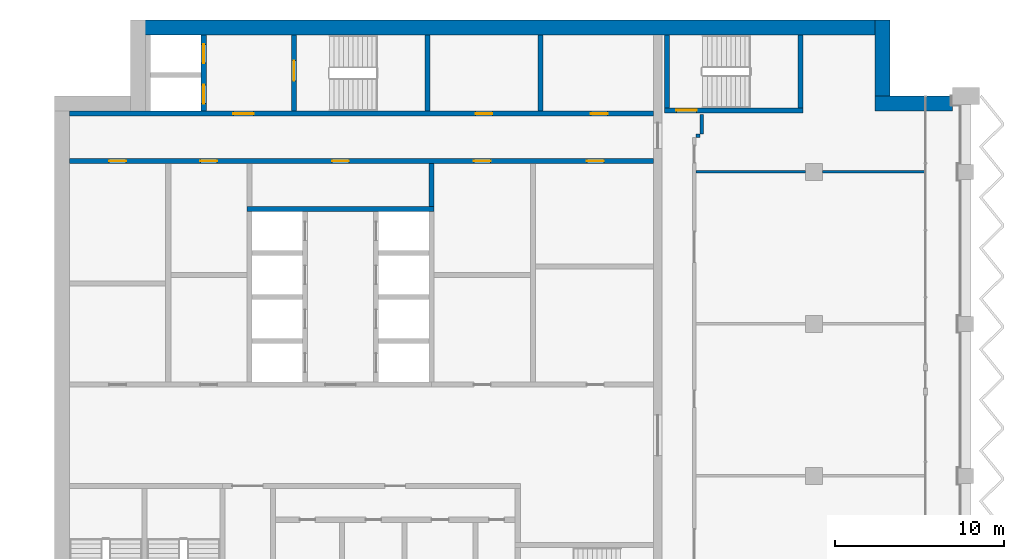
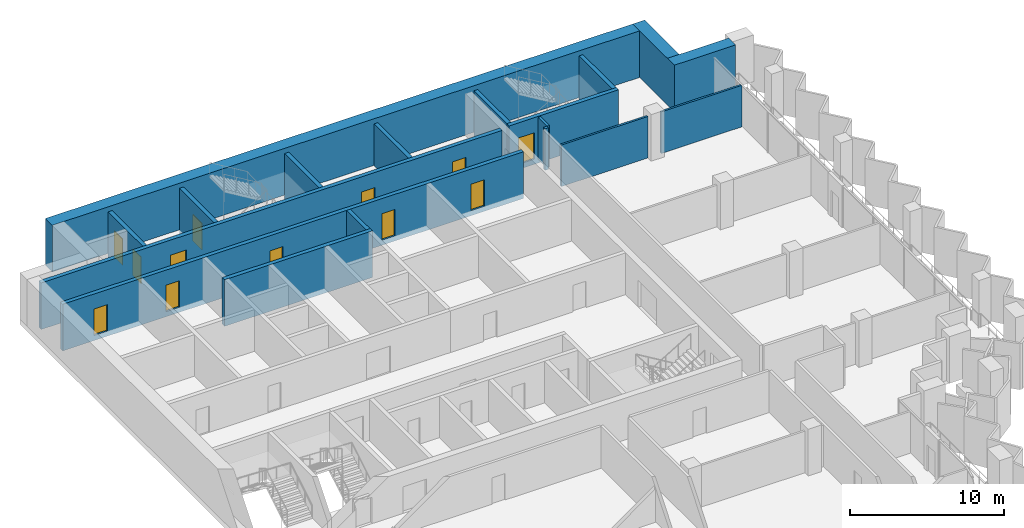
# One storey, part 10 of 16: 18 walls, 12 doors, 12 openings.
"""IFC4 building model written with IfcOpenShell, lengths in metres."""

from ifc_helpers import new_model, si_unit, direction, frame, frame_2d, origin, place, context, subcontext, project, spatial, rectangle, extrude, material, layer, layer_set, type_object, element, fill, save


model = new_model("IFC4")

# Units and contexts
model_context = context("Model", 3, precision=1e-05, world=origin(), true_north=direction((0.0, 1.0)))
body_context = subcontext(model_context, "Body", "Model", "MODEL_VIEW")
ifc_project = project(units=[si_unit("LENGTHUNIT", "METRE"), si_unit("AREAUNIT", "SQUARE_METRE"), si_unit("VOLUMEUNIT", "CUBIC_METRE"), si_unit("PLANEANGLEUNIT", "RADIAN"), si_unit("MASSUNIT", "GRAM", prefix="KILO")], contexts=[model_context])

# Site, building, storey
site_placement = place(None, origin())
site = spatial("IfcSite", under=ifc_project, at=site_placement, CompositionType="ELEMENT")
building_placement = place(site_placement, origin())
building = spatial("IfcBuilding", under=site, at=building_placement, Name="Hunhe Ridgeline Campus", CompositionType="ELEMENT")
storey_placement = place(building_placement, frame((0.0, 0.0, 235.5)))
storey = spatial("IfcBuildingStorey", under=building, at=storey_placement, Name="L60", CompositionType="ELEMENT", Elevation=235.5)

# Walls
ifc_material_1 = material(Name="Masonry concrete blockwork", Category="masonry")
ifc_layer_1 = layer(ifc_material_1, 0.300048828125)
ifc_layer_set_1 = layer_set([ifc_layer_1], Name="Core room partition 300 concrete block")
wall_type_1 = type_object("IfcWallType", Name="Core room partition 300 concrete block", PredefinedType="PARTITIONING", material=ifc_layer_set_1)
wall_1_placement = place(storey_placement, frame((22.35009765625, 87.949951171875, 0.0), z_axis=(0.0, 0.0, 1.0), x_axis=(0.0, 1.0, 0.0)))
element("IfcWall", 1, at=wall_1_placement, inside=storey, type_object=wall_type_1, Name="L60 core partition 44", PredefinedType="PARTITIONING", context=body_context, shape_type="SweptSolid", body=[
    extrude(rectangle(XDim=2.550048828125, YDim=0.300048828125, at=frame_2d((1.27490234375, 0.0))), origin(), (0.0, 0.0, 1.0), 3.300048828125),
])
wall_2_placement = place(storey_placement, frame((28.800048828125, 93.60009765625, 0.0), z_axis=(0.0, 0.0, 1.0), x_axis=(0.0, 1.0, 0.0)))
element("IfcWall", 2, at=wall_2_placement, inside=storey, type_object=wall_type_1, Name="L60 core partition 50", PredefinedType="PARTITIONING", context=body_context, shape_type="SweptSolid", body=[
    extrude(rectangle(XDim=4.5, YDim=0.300048828125, at=frame_2d((2.25, 0.0))), origin(), (0.0, 0.0, 1.0), 3.300048828125),
])
ifc_material_2 = material(Name="Gypsum board partition")
ifc_layer_2 = layer(ifc_material_2, 0.199951171875)
ifc_layer_set_2 = layer_set([ifc_layer_2], Name="Corridor partition 200 gypsum board on steel studs")
wall_type_2 = type_object("IfcWallType", Name="Corridor partition 200 gypsum board on steel studs", PredefinedType="PARTITIONING", material=ifc_layer_set_2)
wall_3_placement = place(storey_placement, frame((38.25, 92.14990234375, 0.0), z_axis=(0.0, 0.0, 1.0), x_axis=(-1.0, 0.0, 0.0)))
element("IfcWall", 3, at=wall_3_placement, inside=storey, type_object=wall_type_2, Name="F-L60-wall-031", PredefinedType="PARTITIONING", context=body_context, shape_type="SweptSolid", body=[
    extrude(rectangle(XDim=0.25, YDim=0.199951171875, at=frame_2d((0.125, 0.0))), origin(), (0.0, 0.0, 1.0), 3.300048828125),
])
wall_4_placement = place(storey_placement, frame((38.35009765625, 93.39599609375, 0.0), z_axis=(0.0, 0.0, 1.0), x_axis=(0.0, -1.0, 0.0)))
element("IfcWall", 4, at=wall_4_placement, inside=storey, type_object=wall_type_2, Name="F-L60-wall-039", PredefinedType="PARTITIONING", context=body_context, shape_type="SweptSolid", body=[
    extrude(rectangle(XDim=1.14599609375, YDim=0.199951171875, at=frame_2d((0.572998046875, 0.0))), origin(), (0.0, 0.0, 1.0), 3.300048828125),
])

# Wall, openings, doors
ifc_material_3 = material(Name="Concrete C50", Category="concrete")
ifc_layer_3 = layer(ifc_material_3, 0.300048828125)
ifc_layer_set_3 = layer_set([ifc_layer_3], Name="Lobby wall 300 reinforced concrete C50")
wall_type_3 = type_object("IfcWallType", Name="Lobby wall 300 reinforced concrete C50", PredefinedType="SOLIDWALL", material=ifc_layer_set_3)
wall_5_placement = place(storey_placement, frame((0.89990234375, 90.64990234375, -0.39990234375), z_axis=(0.0, 0.0, 1.0), x_axis=(1.0, 0.0, 0.0)))
wall_5 = element("IfcWall", 5, at=wall_5_placement, inside=storey, type_object=wall_type_3, Name="L60 core wall 23", PredefinedType="SOLIDWALL", context=body_context, shape_type="SweptSolid", body=[
    extrude(rectangle(XDim=34.60009765625, YDim=0.300048828125, at=frame_2d((17.300048828125, 0.0))), origin(), (0.0, 0.0, 1.0), 3.699951171875),
])
opening_1_placement = place(wall_5_placement, frame((15.550048828125, 0.0, 0.39990234375)))
opening_1 = element("IfcOpeningElement", 6, at=opening_1_placement, cuts=wall_5, Name="Opening CD26", PredefinedType="OPENING", context=body_context, shape_type="SweptSolid", body=[
    extrude(rectangle(XDim=1.0, YDim=2.10009765625, at=frame_2d((0.5, 1.050048828125))), frame((0.0, 0.14990234375, 0.0), z_axis=(0.0, -1.0, 0.0), x_axis=(1.0, 0.0, 0.0)), (0.0, 0.0, 1.0), 0.300048828125),
])
opening_2_placement = place(wall_5_placement, frame((2.35009765625, 0.0, 0.39990234375)))
opening_2 = element("IfcOpeningElement", 7, at=opening_2_placement, cuts=wall_5, Name="Opening CD40", PredefinedType="OPENING", context=body_context, shape_type="SweptSolid", body=[
    extrude(rectangle(XDim=1.0, YDim=2.10009765625, at=frame_2d((0.5, 1.050048828125))), frame((0.0, 0.14990234375, 0.0), z_axis=(0.0, -1.0, 0.0), x_axis=(1.0, 0.0, 0.0)), (0.0, 0.0, 1.0), 0.300048828125),
])
opening_3_placement = place(wall_5_placement, frame((7.75, 0.0, 0.39990234375)))
opening_3 = element("IfcOpeningElement", 8, at=opening_3_placement, cuts=wall_5, Name="Opening CD43", PredefinedType="OPENING", context=body_context, shape_type="SweptSolid", body=[
    extrude(rectangle(XDim=1.0, YDim=2.10009765625, at=frame_2d((0.5, 1.050048828125))), frame((0.0, 0.14990234375, 0.0), z_axis=(0.0, -1.0, 0.0), x_axis=(1.0, 0.0, 0.0)), (0.0, 0.0, 1.0), 0.300048828125),
])
opening_4_placement = place(wall_5_placement, frame((23.949951171875, 0.0, 0.39990234375)))
opening_4 = element("IfcOpeningElement", 9, at=opening_4_placement, cuts=wall_5, Name="Opening CD33", PredefinedType="OPENING", context=body_context, shape_type="SweptSolid", body=[
    extrude(rectangle(XDim=1.0, YDim=2.10009765625, at=frame_2d((0.5, 1.050048828125))), frame((0.0, 0.14990234375, 0.0), z_axis=(0.0, -1.0, 0.0), x_axis=(1.0, 0.0, 0.0)), (0.0, 0.0, 1.0), 0.300048828125),
])
opening_5_placement = place(wall_5_placement, frame((30.64990234375, 0.0, 0.39990234375)))
opening_5 = element("IfcOpeningElement", 10, at=opening_5_placement, cuts=wall_5, Name="Opening CD44", PredefinedType="OPENING", context=body_context, shape_type="SweptSolid", body=[
    extrude(rectangle(XDim=1.0, YDim=2.10009765625, at=frame_2d((0.5, 1.050048828125))), frame((0.0, 0.14990234375, 0.0), z_axis=(0.0, -1.0, 0.0), x_axis=(1.0, 0.0, 0.0)), (0.0, 0.0, 1.0), 0.300048828125),
])
ifc_material_4 = material(Name="Solid core timber door leaf", Category="wood")
door_type_1 = type_object("IfcDoorType", Name="Timber door 1000x2100", OperationType="SINGLE_SWING_LEFT", PredefinedType="DOOR", material=ifc_material_4)
door_1_placement = place(opening_1_placement, frame((1.0, 0.0, 0.0), z_axis=(0.0, 0.0, 1.0), x_axis=(-1.0, 0.0, 0.0)))
door_1 = element("IfcDoor", 11, at=door_1_placement, inside=storey, type_object=door_type_1, Name="L60 door NR-0", OperationType="SINGLE_SWING_RIGHT", OverallHeight=2.10009765625, OverallWidth=1.0, PredefinedType="DOOR", context=body_context, shape_type="SweptSolid", body=[
    extrude(rectangle(XDim=1.0, YDim=2.10009765625, at=frame_2d((0.5, 1.050048828125))), frame((0.0, 0.02490234375, 0.0), z_axis=(0.0, -1.0, 0.0), x_axis=(1.0, 0.0, 0.0)), (0.0, 0.0, 1.0), 0.050048828125),
])
fill(opening_1, door_1)
door_2_placement = place(opening_2_placement, frame((1.0, 0.0, 0.0), z_axis=(0.0, 0.0, 1.0), x_axis=(-1.0, 0.0, 0.0)))
door_2 = element("IfcDoor", 12, at=door_2_placement, inside=storey, type_object=door_type_1, Name="L60 door VD-LR1", OperationType="SINGLE_SWING_RIGHT", OverallHeight=2.10009765625, OverallWidth=1.0, PredefinedType="DOOR", context=body_context, shape_type="SweptSolid", body=[
    extrude(rectangle(XDim=1.0, YDim=2.10009765625, at=frame_2d((0.5, 1.050048828125))), frame((0.0, 0.02490234375, 0.0), z_axis=(0.0, -1.0, 0.0), x_axis=(1.0, 0.0, 0.0)), (0.0, 0.0, 1.0), 0.050048828125),
])
fill(opening_2, door_2)
door_3_placement = place(opening_3_placement, frame((1.0, 0.0, 0.0), z_axis=(0.0, 0.0, 1.0), x_axis=(-1.0, 0.0, 0.0)))
door_3 = element("IfcDoor", 13, at=door_3_placement, inside=storey, type_object=door_type_1, Name="L60 door VD-LR3", OperationType="SINGLE_SWING_RIGHT", OverallHeight=2.10009765625, OverallWidth=1.0, PredefinedType="DOOR", context=body_context, shape_type="SweptSolid", body=[
    extrude(rectangle(XDim=1.0, YDim=2.10009765625, at=frame_2d((0.5, 1.050048828125))), frame((0.0, 0.02490234375, 0.0), z_axis=(0.0, -1.0, 0.0), x_axis=(1.0, 0.0, 0.0)), (0.0, 0.0, 1.0), 0.050048828125),
])
fill(opening_3, door_3)
door_4_placement = place(opening_4_placement, frame((1.0, 0.0, 0.0), z_axis=(0.0, 0.0, 1.0), x_axis=(-1.0, 0.0, 0.0)))
door_4 = element("IfcDoor", 14, at=door_4_placement, inside=storey, type_object=door_type_1, Name="L60 door ES1", OperationType="SINGLE_SWING_LEFT", OverallHeight=2.10009765625, OverallWidth=1.0, PredefinedType="DOOR", context=body_context, shape_type="SweptSolid", body=[
    extrude(rectangle(XDim=1.0, YDim=2.10009765625, at=frame_2d((0.5, 1.050048828125))), frame((0.0, 0.02490234375, 0.0), z_axis=(0.0, -1.0, 0.0), x_axis=(1.0, 0.0, 0.0)), (0.0, 0.0, 1.0), 0.050048828125),
])
fill(opening_4, door_4)
door_5_placement = place(opening_5_placement, frame((1.0, 0.0, 0.0), z_axis=(0.0, 0.0, 1.0), x_axis=(-1.0, 0.0, 0.0)))
door_5 = element("IfcDoor", 15, at=door_5_placement, inside=storey, type_object=door_type_1, Name="L60 door ES3", OperationType="SINGLE_SWING_LEFT", OverallHeight=2.10009765625, OverallWidth=1.0, PredefinedType="DOOR", context=body_context, shape_type="SweptSolid", body=[
    extrude(rectangle(XDim=1.0, YDim=2.10009765625, at=frame_2d((0.5, 1.050048828125))), frame((0.0, 0.02490234375, 0.0), z_axis=(0.0, -1.0, 0.0), x_axis=(1.0, 0.0, 0.0)), (0.0, 0.0, 1.0), 0.050048828125),
])
fill(opening_5, door_5)

# Walls
ifc_layer_4 = layer(ifc_material_2, 0.14990234375)
ifc_layer_set_4 = layer_set([ifc_layer_4], Name="Room partition 150 gypsum board on steel studs")
wall_type_4 = type_object("IfcWallType", Name="Room partition 150 gypsum board on steel studs", PredefinedType="PARTITIONING", material=ifc_layer_set_4)
wall_6_placement = place(storey_placement, frame((38.0, 90.0, 0.0), z_axis=(0.0, 0.0, 1.0), x_axis=(1.0, 0.0, 0.0)))
element("IfcWall", 16, at=wall_6_placement, inside=storey, type_object=wall_type_4, Name="F-L60-wall-029", PredefinedType="PARTITIONING", context=body_context, shape_type="SweptSolid", body=[
    extrude(rectangle(XDim=6.5, YDim=0.14990234375, at=frame_2d((3.25, 0.0))), origin(), (0.0, 0.0, 1.0), 3.300048828125),
])
wall_7_placement = place(storey_placement, frame((45.5, 90.0, 0.0), z_axis=(0.0, 0.0, 1.0), x_axis=(1.0, 0.0, 0.0)))
element("IfcWall", 17, at=wall_7_placement, inside=storey, type_object=wall_type_4, Name="F-L60-wall-030", PredefinedType="PARTITIONING", context=body_context, shape_type="SweptSolid", body=[
    extrude(rectangle(XDim=6.044921875, YDim=0.14990234375, at=frame_2d((3.0224609375, 0.0))), origin(), (0.0, 0.0, 1.0), 3.300048828125),
])
ifc_layer_5 = layer(ifc_material_3, 0.300048828125)
ifc_layer_set_5 = layer_set([ifc_layer_5], Name="Shaft wall 300 reinforced concrete C50")
wall_type_5 = type_object("IfcWallType", Name="Shaft wall 300 reinforced concrete C50", PredefinedType="SOLIDWALL", material=ifc_layer_set_5)
wall_8_placement = place(storey_placement, frame((11.39990234375, 87.800048828125, -0.39990234375), z_axis=(0.0, 0.0, 1.0), x_axis=(1.0, 0.0, 0.0)))
element("IfcWall", 18, at=wall_8_placement, inside=storey, type_object=wall_type_5, Name="L60 core wall 22", PredefinedType="SOLIDWALL", context=body_context, shape_type="SweptSolid", body=[
    extrude(rectangle(XDim=11.10009765625, YDim=0.300048828125, at=frame_2d((5.550048828125, 0.0))), origin(), (0.0, 0.0, 1.0), 3.699951171875),
])

# Wall, openings, doors
wall_9_placement = place(storey_placement, frame((0.89990234375, 93.449951171875, -0.39990234375), z_axis=(0.0, 0.0, 1.0), x_axis=(1.0, 0.0, 0.0)))
wall_9 = element("IfcWall", 19, at=wall_9_placement, inside=storey, type_object=wall_type_5, Name="L60 core wall 24", PredefinedType="SOLIDWALL", context=body_context, shape_type="SweptSolid", body=[
    extrude(rectangle(XDim=34.60009765625, YDim=0.300048828125, at=frame_2d((17.300048828125, 0.0))), origin(), (0.0, 0.0, 1.0), 3.699951171875),
])
opening_6_placement = place(wall_9_placement, frame((9.699951171875, 0.0, 0.39990234375)))
opening_6 = element("IfcOpeningElement", 20, at=opening_6_placement, cuts=wall_9, Name="Opening CD3", PredefinedType="OPENING", context=body_context, shape_type="SweptSolid", body=[
    extrude(rectangle(XDim=1.199951171875, YDim=2.10009765625, at=frame_2d((0.60009765625, 1.050048828125))), frame((0.0, 0.14990234375, 0.0), z_axis=(0.0, -1.0, 0.0), x_axis=(1.0, 0.0, 0.0)), (0.0, 0.0, 1.0), 0.300048828125),
])
opening_7_placement = place(wall_9_placement, frame((24.050048828125, 0.0, 0.39990234375)))
opening_7 = element("IfcOpeningElement", 21, at=opening_7_placement, cuts=wall_9, Name="Opening CD34", PredefinedType="OPENING", context=body_context, shape_type="SweptSolid", body=[
    extrude(rectangle(XDim=1.0, YDim=2.10009765625, at=frame_2d((0.5, 1.050048828125))), frame((0.0, 0.14990234375, 0.0), z_axis=(0.0, -1.0, 0.0), x_axis=(1.0, 0.0, 0.0)), (0.0, 0.0, 1.0), 0.300048828125),
])
opening_8_placement = place(wall_9_placement, frame((30.875, 0.0, 0.39990234375)))
opening_8 = element("IfcOpeningElement", 22, at=opening_8_placement, cuts=wall_9, Name="Opening CD35", PredefinedType="OPENING", context=body_context, shape_type="SweptSolid", body=[
    extrude(rectangle(XDim=1.0, YDim=2.10009765625, at=frame_2d((0.5, 1.050048828125))), frame((0.0, 0.14990234375, 0.0), z_axis=(0.0, -1.0, 0.0), x_axis=(1.0, 0.0, 0.0)), (0.0, 0.0, 1.0), 0.300048828125),
])
ifc_material_5 = material(Name="Hollow metal fire door leaf")
door_type_2 = type_object("IfcDoorType", Name="Lobby door 1200x2100 FD60", OperationType="SINGLE_SWING_LEFT", PredefinedType="DOOR", material=ifc_material_5)
door_6_placement = place(opening_6_placement, frame((1.199951171875, 0.0, 0.0), z_axis=(0.0, 0.0, 1.0), x_axis=(-1.0, 0.0, 0.0)))
door_6 = element("IfcDoor", 23, at=door_6_placement, inside=storey, type_object=door_type_2, Name="L60 door FF-C1", OperationType="SINGLE_SWING_RIGHT", OverallHeight=2.10009765625, OverallWidth=1.199951171875, PredefinedType="DOOR", context=body_context, shape_type="SweptSolid", body=[
    extrude(rectangle(XDim=1.199951171875, YDim=2.10009765625, at=frame_2d((0.60009765625, 1.050048828125))), frame((0.0, 0.02490234375, 0.0), z_axis=(0.0, -1.0, 0.0), x_axis=(1.0, 0.0, 0.0)), (0.0, 0.0, 1.0), 0.050048828125),
])
fill(opening_6, door_6)
door_7_placement = place(opening_7_placement, origin())
door_7 = element("IfcDoor", 24, at=door_7_placement, inside=storey, type_object=door_type_1, Name="L60 door NB0", OperationType="SINGLE_SWING_LEFT", OverallHeight=2.10009765625, OverallWidth=1.0, PredefinedType="DOOR", context=body_context, shape_type="SweptSolid", body=[
    extrude(rectangle(XDim=1.0, YDim=2.10009765625, at=frame_2d((0.5, 1.050048828125))), frame((0.0, 0.02490234375, 0.0), z_axis=(0.0, -1.0, 0.0), x_axis=(1.0, 0.0, 0.0)), (0.0, 0.0, 1.0), 0.050048828125),
])
fill(opening_7, door_7)
door_8_placement = place(opening_8_placement, origin())
door_8 = element("IfcDoor", 25, at=door_8_placement, inside=storey, type_object=door_type_1, Name="L60 door NB1", OperationType="SINGLE_SWING_RIGHT", OverallHeight=2.10009765625, OverallWidth=1.0, PredefinedType="DOOR", context=body_context, shape_type="SweptSolid", body=[
    extrude(rectangle(XDim=1.0, YDim=2.10009765625, at=frame_2d((0.5, 1.050048828125))), frame((0.0, 0.02490234375, 0.0), z_axis=(0.0, -1.0, 0.0), x_axis=(1.0, 0.0, 0.0)), (0.0, 0.0, 1.0), 0.050048828125),
])
fill(opening_8, door_8)

wall_10_placement = place(storey_placement, frame((8.85009765625, 93.60009765625, -0.39990234375), z_axis=(0.0, 0.0, 1.0), x_axis=(0.0, 1.0, 0.0)))
wall_10 = element("IfcWall", 26, at=wall_10_placement, inside=storey, type_object=wall_type_5, Name="L60 core wall 31", PredefinedType="SOLIDWALL", context=body_context, shape_type="SweptSolid", body=[
    extrude(rectangle(XDim=4.5, YDim=0.300048828125, at=frame_2d((2.25, 0.0))), origin(), (0.0, 0.0, 1.0), 3.699951171875),
])
opening_9_placement = place(wall_10_placement, frame((0.449951171875, 0.0, 0.39990234375)))
opening_9 = element("IfcOpeningElement", 27, at=opening_9_placement, cuts=wall_10, Name="Opening LD-FF1", PredefinedType="OPENING", context=body_context, shape_type="SweptSolid", body=[
    extrude(rectangle(XDim=1.10009765625, YDim=2.10009765625, at=frame_2d((0.550048828125, 1.050048828125))), frame((0.0, 0.14990234375, 0.0), z_axis=(0.0, -1.0, 0.0), x_axis=(1.0, 0.0, 0.0)), (0.0, 0.0, 1.0), 0.300048828125),
])
opening_10_placement = place(wall_10_placement, frame((2.85009765625, 0.0, 0.39990234375)))
opening_10 = element("IfcOpeningElement", 28, at=opening_10_placement, cuts=wall_10, Name="Opening LD-FF2", PredefinedType="OPENING", context=body_context, shape_type="SweptSolid", body=[
    extrude(rectangle(XDim=1.10009765625, YDim=2.10009765625, at=frame_2d((0.550048828125, 1.050048828125))), frame((0.0, 0.14990234375, 0.0), z_axis=(0.0, -1.0, 0.0), x_axis=(1.0, 0.0, 0.0)), (0.0, 0.0, 1.0), 0.300048828125),
])
ifc_material_6 = material(Name="Stainless steel sliding leaves", Category="steel")
door_type_3 = type_object("IfcDoorType", Name="Landing door 1100x2100 FD120", OperationType="SLIDING_TO_LEFT", PredefinedType="DOOR", material=ifc_material_6)
door_9_placement = place(opening_9_placement, origin())
door_9 = element("IfcDoor", 29, at=door_9_placement, inside=storey, type_object=door_type_3, Name="L60 landing door FF1", OperationType="SLIDING_TO_RIGHT", OverallHeight=2.10009765625, OverallWidth=1.10009765625, PredefinedType="DOOR", context=body_context, shape_type="SweptSolid", body=[
    extrude(rectangle(XDim=1.10009765625, YDim=2.10009765625, at=frame_2d((0.550048828125, 1.050048828125))), frame((0.0, 0.02490234375, 0.0), z_axis=(0.0, -1.0, 0.0), x_axis=(1.0, 0.0, 0.0)), (0.0, 0.0, 1.0), 0.050048828125),
])
fill(opening_9, door_9)
door_10_placement = place(opening_10_placement, origin())
door_10 = element("IfcDoor", 30, at=door_10_placement, inside=storey, type_object=door_type_3, Name="L60 landing door FF2", OperationType="SLIDING_TO_LEFT", OverallHeight=2.10009765625, OverallWidth=1.10009765625, PredefinedType="DOOR", context=body_context, shape_type="SweptSolid", body=[
    extrude(rectangle(XDim=1.10009765625, YDim=2.10009765625, at=frame_2d((0.550048828125, 1.050048828125))), frame((0.0, 0.02490234375, 0.0), z_axis=(0.0, -1.0, 0.0), x_axis=(1.0, 0.0, 0.0)), (0.0, 0.0, 1.0), 0.050048828125),
])
fill(opening_10, door_10)

# Walls
ifc_material_7 = material(Name="Concrete C60", Category="concrete")
ifc_layer_6 = layer(ifc_material_7, 0.89990234375)
ifc_layer_set_6 = layer_set([ifc_layer_6], Name="Spine wall 900 Concrete C60")
wall_type_6 = type_object("IfcWallType", Name="Spine wall 900 Concrete C60", PredefinedType="SHEAR", material=ifc_layer_set_6)
wall_11_placement = place(storey_placement, frame((53.199951171875, 94.050048828125, 0.0), z_axis=(0.0, 0.0, 1.0), x_axis=(-1.0, 0.0, 0.0)))
element("IfcWall", 31, at=wall_11_placement, inside=storey, type_object=wall_type_6, Name="Spine wall SW3-2 L60", PredefinedType="SHEAR", context=body_context, shape_type="SweptSolid", body=[
    extrude(rectangle(XDim=4.599853515625, YDim=0.89990234375, at=frame_2d((2.2998046875, 0.0))), origin(), (0.0, 0.0, 1.0), 3.699951171875),
])
wall_12_placement = place(storey_placement, frame((49.050048828125, 93.60009765625, 0.0), z_axis=(0.0, 0.0, 1.0), x_axis=(0.0, 1.0, 0.0)))
element("IfcWall", 32, at=wall_12_placement, inside=storey, type_object=wall_type_6, Name="Spine wall SW3-3 L60", PredefinedType="SHEAR", context=body_context, shape_type="SweptSolid", body=[
    extrude(rectangle(XDim=5.39990234375, YDim=0.89990234375, at=frame_2d((2.699951171875, 0.0))), origin(), (0.0, 0.0, 1.0), 3.699951171875),
])
wall_13_placement = place(storey_placement, frame((49.5, 98.550048828125, 0.0), z_axis=(0.0, 0.0, 1.0), x_axis=(-1.0, 0.0, 0.0)))
element("IfcWall", 33, at=wall_13_placement, inside=storey, type_object=wall_type_6, Name="Spine wall SW3-4 L60", PredefinedType="SHEAR", context=body_context, shape_type="SweptSolid", body=[
    extrude(rectangle(XDim=45.0, YDim=0.89990234375, at=frame_2d((22.5, 0.0))), origin(), (0.0, 0.0, 1.0), 3.699951171875),
])

# Wall, opening, door
ifc_layer_7 = layer(ifc_material_3, 0.300048828125)
ifc_layer_set_7 = layer_set([ifc_layer_7], Name="Stair wall 300 reinforced concrete C50")
wall_type_7 = type_object("IfcWallType", Name="Stair wall 300 reinforced concrete C50", PredefinedType="SOLIDWALL", material=ifc_layer_set_7)
wall_14_placement = place(storey_placement, frame((36.14990234375, 93.64990234375, -0.39990234375), z_axis=(0.0, 0.0, 1.0), x_axis=(1.0, 0.0, 0.0)))
wall_14 = element("IfcWall", 34, at=wall_14_placement, inside=storey, type_object=wall_type_7, Name="L60 core wall 25", PredefinedType="SOLIDWALL", context=body_context, shape_type="SweptSolid", body=[
    extrude(rectangle(XDim=8.2001953125, YDim=0.300048828125, at=frame_2d((4.10009765625, 0.0))), origin(), (0.0, 0.0, 1.0), 3.699951171875),
])
opening_11_placement = place(wall_14_placement, frame((0.699951171875, 0.0, 0.39990234375)))
opening_11 = element("IfcOpeningElement", 35, at=opening_11_placement, cuts=wall_14, Name="Opening CD17", PredefinedType="OPENING", context=body_context, shape_type="SweptSolid", body=[
    extrude(rectangle(XDim=1.199951171875, YDim=2.10009765625, at=frame_2d((0.60009765625, 1.050048828125))), frame((0.0, 0.14990234375, 0.0), z_axis=(0.0, -1.0, 0.0), x_axis=(1.0, 0.0, 0.0)), (0.0, 0.0, 1.0), 0.300048828125),
])
door_type_4 = type_object("IfcDoorType", Name="Stair door 1200x2100 FD60", OperationType="SINGLE_SWING_LEFT", PredefinedType="DOOR", material=ifc_material_5)
door_11_placement = place(opening_11_placement, frame((1.199951171875, 0.0, 0.0), z_axis=(0.0, 0.0, 1.0), x_axis=(-1.0, 0.0, 0.0)))
door_11 = element("IfcDoor", 36, at=door_11_placement, inside=storey, type_object=door_type_4, Name="L60 door E1", OperationType="SINGLE_SWING_LEFT", OverallHeight=2.10009765625, OverallWidth=1.199951171875, PredefinedType="DOOR", context=body_context, shape_type="SweptSolid", body=[
    extrude(rectangle(XDim=1.199951171875, YDim=2.10009765625, at=frame_2d((0.60009765625, 1.050048828125))), frame((0.0, 0.02490234375, 0.0), z_axis=(0.0, -1.0, 0.0), x_axis=(1.0, 0.0, 0.0)), (0.0, 0.0, 1.0), 0.050048828125),
])
fill(opening_11, door_11)

wall_15_placement = place(storey_placement, frame((14.199951171875, 93.60009765625, -0.39990234375), z_axis=(0.0, 0.0, 1.0), x_axis=(0.0, 1.0, 0.0)))
wall_15 = element("IfcWall", 37, at=wall_15_placement, inside=storey, type_object=wall_type_7, Name="L60 core wall 36", PredefinedType="SOLIDWALL", context=body_context, shape_type="SweptSolid", body=[
    extrude(rectangle(XDim=4.5, YDim=0.300048828125, at=frame_2d((2.25, 0.0))), origin(), (0.0, 0.0, 1.0), 3.699951171875),
])
opening_12_placement = place(wall_15_placement, frame((1.800048828125, 0.0, 0.39990234375)))
opening_12 = element("IfcOpeningElement", 38, at=opening_12_placement, cuts=wall_15, Name="Opening CD16", PredefinedType="OPENING", context=body_context, shape_type="SweptSolid", body=[
    extrude(rectangle(XDim=1.199951171875, YDim=2.10009765625, at=frame_2d((0.60009765625, 1.050048828125))), frame((0.0, 0.14990234375, 0.0), z_axis=(0.0, -1.0, 0.0), x_axis=(1.0, 0.0, 0.0)), (0.0, 0.0, 1.0), 0.300048828125),
])
door_12_placement = place(opening_12_placement, origin())
door_12 = element("IfcDoor", 39, at=door_12_placement, inside=storey, type_object=door_type_4, Name="L60 door S1-FF", OperationType="SINGLE_SWING_RIGHT", OverallHeight=2.10009765625, OverallWidth=1.199951171875, PredefinedType="DOOR", context=body_context, shape_type="SweptSolid", body=[
    extrude(rectangle(XDim=1.199951171875, YDim=2.10009765625, at=frame_2d((0.60009765625, 1.050048828125))), frame((0.0, 0.02490234375, 0.0), z_axis=(0.0, -1.0, 0.0), x_axis=(1.0, 0.0, 0.0)), (0.0, 0.0, 1.0), 0.050048828125),
])
fill(opening_12, door_12)

# Walls
wall_16_placement = place(storey_placement, frame((22.10009765625, 93.60009765625, -0.39990234375), z_axis=(0.0, 0.0, 1.0), x_axis=(0.0, 1.0, 0.0)))
element("IfcWall", 40, at=wall_16_placement, inside=storey, type_object=wall_type_7, Name="L60 core wall 42", PredefinedType="SOLIDWALL", context=body_context, shape_type="SweptSolid", body=[
    extrude(rectangle(XDim=4.5, YDim=0.300048828125, at=frame_2d((2.25, 0.0))), origin(), (0.0, 0.0, 1.0), 3.699951171875),
])
for number, where, z_axis, x_axis, name in (
    (41, (36.300048828125, 93.800048828125, -0.39990234375), (0.0, 0.0, 1.0), (0.0, 1.0, 0.0), "L60 core wall 52"),
    (42, (44.199951171875, 93.800048828125, -0.39990234375), (0.0, 0.0, 1.0), (0.0, 1.0, 0.0), "L60 core wall 53"),
):
    element("IfcWall", number, at=place(storey_placement, frame(where, z_axis=z_axis, x_axis=x_axis)), inside=storey, type_object=wall_type_7, Name=name, PredefinedType="SOLIDWALL", context=body_context, shape_type="SweptSolid", body=[
        extrude(rectangle(XDim=4.300048828125, YDim=0.300048828125, at=frame_2d((2.14990234375, 0.0))), origin(), (0.0, 0.0, 1.0), 3.699951171875),
    ])

save(model, "model.ifc")
